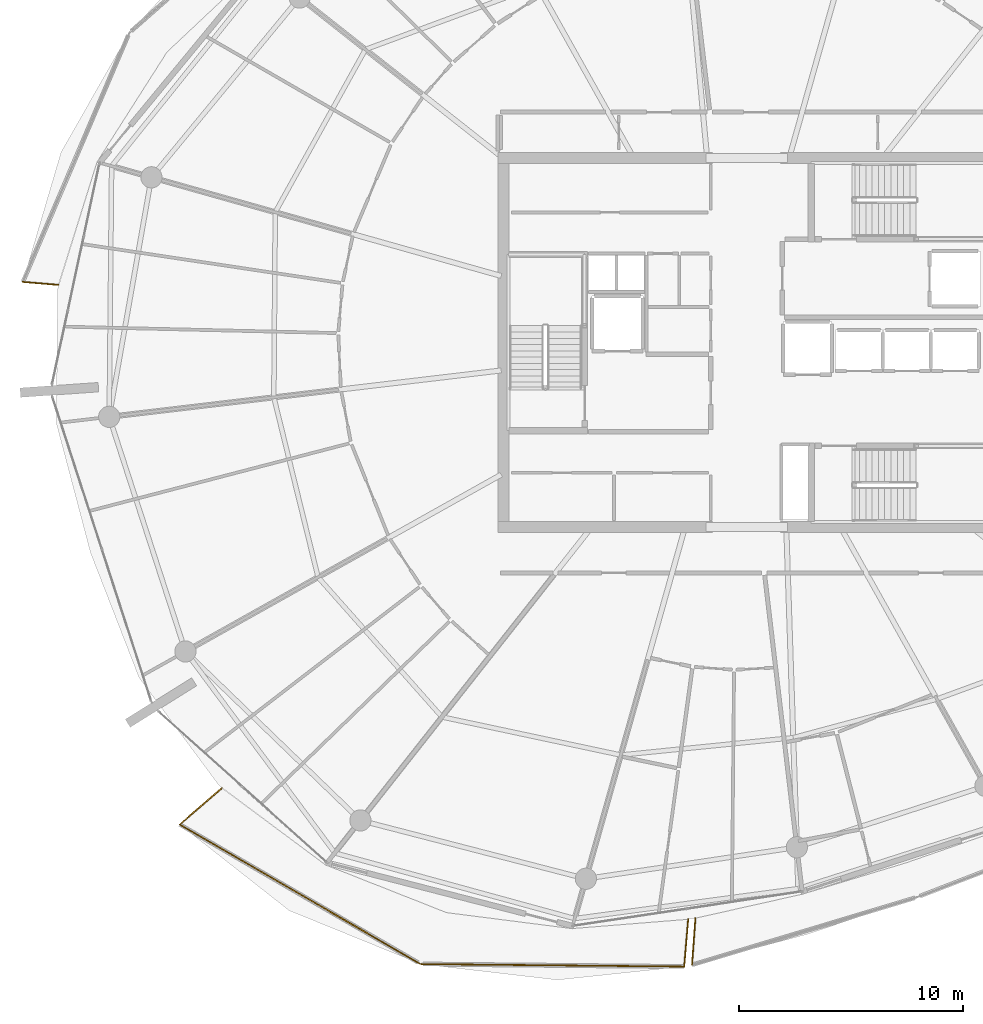
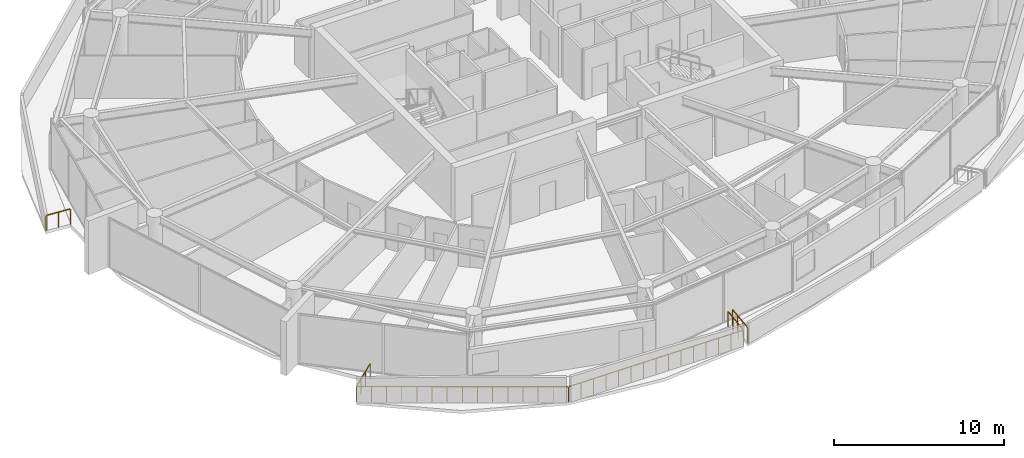
# One storey, part 25 of 31: 6 railings.
"""IFC4 building model written with IfcOpenShell, lengths in metres."""

from ifc_helpers import new_model, si_unit, direction, frame, origin, origin_2d, place, context, subcontext, project, spatial, rectangle, extrude, material, type_object, element, save


model = new_model("IFC4")

# Units and contexts
model_context = context("Model", 3, precision=1e-05, world=origin(), true_north=direction((0.0, 1.0)))
body_context = subcontext(model_context, "Body", "Model", "MODEL_VIEW")
ifc_project = project(units=[si_unit("LENGTHUNIT", "METRE"), si_unit("AREAUNIT", "SQUARE_METRE"), si_unit("VOLUMEUNIT", "CUBIC_METRE"), si_unit("PLANEANGLEUNIT", "RADIAN"), si_unit("MASSUNIT", "GRAM", prefix="KILO")], contexts=[model_context])

# Site, building, storey
site_placement = place(None, origin())
site = spatial("IfcSite", under=ifc_project, at=site_placement, CompositionType="ELEMENT")
building_placement = place(site_placement, origin())
building = spatial("IfcBuilding", under=site, at=building_placement, Name="Kazma Halo Residences", CompositionType="ELEMENT")
storey_placement = place(building_placement, frame((0.0, 0.0, 275.199951171875)))
storey = spatial("IfcBuildingStorey", under=building, at=storey_placement, Name="L69", CompositionType="ELEMENT", Elevation=275.199951171875)

# Railings
ifc_material = material(Name="Aluminium AW-6063 T6 Brushed Cap Rail", Category="aluminium")
railing_type = type_object("IfcRailingType", Name="RLG-BAL-CAP-1120", PredefinedType="BALUSTRADE", material=ifc_material)
railing_1_placement = place(storey_placement, frame((16.0546875, 44.710693359375, 0.0)))
element("IfcRailing", 1, at=railing_1_placement, inside=storey, type_object=railing_type, Name="L69 NW wave balcony guard 4", PredefinedType="BALUSTRADE", context=body_context, shape_type="SweptSolid", body=[
    extrude(rectangle(XDim=0.050048828125, YDim=0.050048828125, at=origin_2d()), frame((0.04248046875, -0.003662109375, 1.09521484375), z_axis=(0.996411975362, -0.08463554428, 0.0), x_axis=(0.08463554428, 0.996411975362, 0.0)), (0.0, 0.0, 1.0), 1.515869140625),
    extrude(rectangle(XDim=0.0400390625, YDim=0.0400390625, at=origin_2d()), origin(), (0.0, 0.0, 1.0), 1.05810546875),
    extrude(rectangle(XDim=0.0400390625, YDim=0.0400390625, at=origin_2d()), frame((0.797607421875, -0.06787109375, 0.0)), (0.0, 0.0, 1.0), 1.05810546875),
    extrude(rectangle(XDim=0.0400390625, YDim=0.0400390625, at=origin_2d()), frame((1.59521484375, -0.135498046875, 0.0)), (0.0, 0.0, 1.0), 1.05810546875),
])
railing_2_placement = place(storey_placement, frame((24.9599609375, 22.0771484375, 0.0)))
element("IfcRailing", 2, at=railing_2_placement, inside=storey, type_object=railing_type, Name="L69 SW wave balcony guard 1", PredefinedType="BALUSTRADE", context=body_context, shape_type="SweptSolid", body=[
    extrude(rectangle(XDim=0.050048828125, YDim=0.050048828125, at=origin_2d()), frame((-0.0322265625, -0.02783203125, 1.09521484375), z_axis=(-0.75642466345, -0.65408082721, 0.0), x_axis=(0.65408082721, -0.75642466345, 0.0)), (0.0, 0.0, 1.0), 2.41015625),
    extrude(rectangle(XDim=0.0400390625, YDim=0.0400390625, at=origin_2d()), origin(), (0.0, 0.0, 1.0), 1.05810546875),
    extrude(rectangle(XDim=0.0400390625, YDim=0.0400390625, at=origin_2d()), frame((-0.629150390625, -0.5439453125, 0.0)), (0.0, 0.0, 1.0), 1.05810546875),
    extrude(rectangle(XDim=0.0400390625, YDim=0.0400390625, at=origin_2d()), frame((-1.25830078125, -1.088134765625, 0.0)), (0.0, 0.0, 1.0), 1.05810546875),
    extrude(rectangle(XDim=0.0400390625, YDim=0.0400390625, at=origin_2d()), frame((-1.887451171875, -1.632080078125, 0.0)), (0.0, 0.0, 1.0), 1.05810546875),
])
railing_3_placement = place(storey_placement, frame((23.072509765625, 20.445068359375, 0.0)))
element("IfcRailing", 3, at=railing_3_placement, inside=storey, type_object=railing_type, Name="L69 SW wave balcony guard 2", PredefinedType="BALUSTRADE", context=body_context, shape_type="SweptSolid", body=[
    extrude(rectangle(XDim=0.050048828125, YDim=0.050048828125, at=origin_2d()), frame((0.036865234375, -0.021240234375, 1.09521484375), z_axis=(0.8652560804, -0.501330146042, 0.0), x_axis=(0.501330146042, 0.8652560804, 0.0)), (0.0, 0.0, 1.0), 12.35791015625),
    extrude(rectangle(XDim=0.0400390625, YDim=0.0400390625, at=origin_2d()), origin(), (0.0, 0.0, 1.0), 1.05810546875),
    extrude(rectangle(XDim=0.0400390625, YDim=0.0400390625, at=origin_2d()), frame((0.76904296875, -0.445556640625, 0.0)), (0.0, 0.0, 1.0), 1.05810546875),
    extrude(rectangle(XDim=0.0400390625, YDim=0.0400390625, at=origin_2d()), frame((1.5380859375, -0.89111328125, 0.0)), (0.0, 0.0, 1.0), 1.05810546875),
    extrude(rectangle(XDim=0.0400390625, YDim=0.0400390625, at=origin_2d()), frame((2.30712890625, -1.336669921875, 0.0)), (0.0, 0.0, 1.0), 1.05810546875),
    extrude(rectangle(XDim=0.0400390625, YDim=0.0400390625, at=origin_2d()), frame((3.076171875, -1.7822265625, 0.0)), (0.0, 0.0, 1.0), 1.05810546875),
    extrude(rectangle(XDim=0.0400390625, YDim=0.0400390625, at=origin_2d()), frame((3.84521484375, -2.227783203125, 0.0)), (0.0, 0.0, 1.0), 1.05810546875),
    extrude(rectangle(XDim=0.0400390625, YDim=0.0400390625, at=origin_2d()), frame((4.6142578125, -2.67333984375, 0.0)), (0.0, 0.0, 1.0), 1.05810546875),
    extrude(rectangle(XDim=0.0400390625, YDim=0.0400390625, at=origin_2d()), frame((5.38330078125, -3.119140625, 0.0)), (0.0, 0.0, 1.0), 1.05810546875),
    extrude(rectangle(XDim=0.0400390625, YDim=0.0400390625, at=origin_2d()), frame((6.152099609375, -3.564697265625, 0.0)), (0.0, 0.0, 1.0), 1.05810546875),
    extrude(rectangle(XDim=0.0400390625, YDim=0.0400390625, at=origin_2d()), frame((6.921142578125, -4.01025390625, 0.0)), (0.0, 0.0, 1.0), 1.05810546875),
    extrude(rectangle(XDim=0.0400390625, YDim=0.0400390625, at=origin_2d()), frame((7.690185546875, -4.455810546875, 0.0)), (0.0, 0.0, 1.0), 1.05810546875),
    extrude(rectangle(XDim=0.0400390625, YDim=0.0400390625, at=origin_2d()), frame((8.459228515625, -4.9013671875, 0.0)), (0.0, 0.0, 1.0), 1.05810546875),
    extrude(rectangle(XDim=0.0400390625, YDim=0.0400390625, at=origin_2d()), frame((9.228271484375, -5.346923828125, 0.0)), (0.0, 0.0, 1.0), 1.05810546875),
    extrude(rectangle(XDim=0.0400390625, YDim=0.0400390625, at=origin_2d()), frame((9.997314453125, -5.79248046875, 0.0)), (0.0, 0.0, 1.0), 1.05810546875),
    extrude(rectangle(XDim=0.0400390625, YDim=0.0400390625, at=origin_2d()), frame((10.766357421875, -6.238037109375, 0.0)), (0.0, 0.0, 1.0), 1.05810546875),
])
railing_4_placement = place(storey_placement, frame((33.8388671875, 14.20703125, 0.0)))
element("IfcRailing", 4, at=railing_4_placement, inside=storey, type_object=railing_type, Name="L69 SW wave balcony guard 3", PredefinedType="BALUSTRADE", context=body_context, shape_type="SweptSolid", body=[
    extrude(rectangle(XDim=0.050048828125, YDim=0.050048828125, at=origin_2d()), frame((0.04248046875, -0.00048828125, 1.09521484375), z_axis=(0.999953670079, -0.009625886691, 0.0), x_axis=(0.009625886691, 0.999953670079, 0.0)), (0.0, 0.0, 1.0), 11.708740234375),
    extrude(rectangle(XDim=0.0400390625, YDim=0.0400390625, at=origin_2d()), origin(), (0.0, 0.0, 1.0), 1.05810546875),
    extrude(rectangle(XDim=0.0400390625, YDim=0.0400390625, at=origin_2d()), frame((0.84228515625, -0.008056640625, 0.0)), (0.0, 0.0, 1.0), 1.05810546875),
    extrude(rectangle(XDim=0.0400390625, YDim=0.0400390625, at=origin_2d()), frame((1.684814453125, -0.01611328125, 0.0)), (0.0, 0.0, 1.0), 1.05810546875),
    extrude(rectangle(XDim=0.0400390625, YDim=0.0400390625, at=origin_2d()), frame((2.527099609375, -0.0244140625, 0.0)), (0.0, 0.0, 1.0), 1.05810546875),
    extrude(rectangle(XDim=0.0400390625, YDim=0.0400390625, at=origin_2d()), frame((3.369384765625, -0.032470703125, 0.0)), (0.0, 0.0, 1.0), 1.05810546875),
    extrude(rectangle(XDim=0.0400390625, YDim=0.0400390625, at=origin_2d()), frame((4.2119140625, -0.04052734375, 0.0)), (0.0, 0.0, 1.0), 1.05810546875),
    extrude(rectangle(XDim=0.0400390625, YDim=0.0400390625, at=origin_2d()), frame((5.05419921875, -0.048583984375, 0.0)), (0.0, 0.0, 1.0), 1.05810546875),
    extrude(rectangle(XDim=0.0400390625, YDim=0.0400390625, at=origin_2d()), frame((5.896484375, -0.056640625, 0.0)), (0.0, 0.0, 1.0), 1.05810546875),
    extrude(rectangle(XDim=0.0400390625, YDim=0.0400390625, at=origin_2d()), frame((6.739013671875, -0.06494140625, 0.0)), (0.0, 0.0, 1.0), 1.05810546875),
    extrude(rectangle(XDim=0.0400390625, YDim=0.0400390625, at=origin_2d()), frame((7.581298828125, -0.072998046875, 0.0)), (0.0, 0.0, 1.0), 1.05810546875),
    extrude(rectangle(XDim=0.0400390625, YDim=0.0400390625, at=origin_2d()), frame((8.423828125, -0.0810546875, 0.0)), (0.0, 0.0, 1.0), 1.05810546875),
    extrude(rectangle(XDim=0.0400390625, YDim=0.0400390625, at=origin_2d()), frame((9.26611328125, -0.089111328125, 0.0)), (0.0, 0.0, 1.0), 1.05810546875),
    extrude(rectangle(XDim=0.0400390625, YDim=0.0400390625, at=origin_2d()), frame((10.1083984375, -0.097412109375, 0.0)), (0.0, 0.0, 1.0), 1.05810546875),
    extrude(rectangle(XDim=0.0400390625, YDim=0.0400390625, at=origin_2d()), frame((10.950927734375, -0.10546875, 0.0)), (0.0, 0.0, 1.0), 1.05810546875),
    extrude(rectangle(XDim=0.0400390625, YDim=0.0400390625, at=origin_2d()), frame((11.793212890625, -0.113525390625, 0.0)), (0.0, 0.0, 1.0), 1.05810546875),
])
railing_5_placement = place(storey_placement, frame((45.632080078125, 14.093505859375, 0.0)))
element("IfcRailing", 5, at=railing_5_placement, inside=storey, type_object=railing_type, Name="L69 SW wave balcony guard 4", PredefinedType="BALUSTRADE", context=body_context, shape_type="SweptSolid", body=[
    extrude(rectangle(XDim=0.050048828125, YDim=0.050048828125, at=origin_2d()), frame((0.003662109375, 0.04248046875, 1.09521484375), z_axis=(0.08453222693, 0.996420745775, 0.0), x_axis=(-0.996420745775, 0.08453222693, 0.0)), (0.0, 0.0, 1.0), 2.034912109375),
    extrude(rectangle(XDim=0.0400390625, YDim=0.0400390625, at=origin_2d()), origin(), (0.0, 0.0, 1.0), 1.05810546875),
    extrude(rectangle(XDim=0.0400390625, YDim=0.0400390625, at=origin_2d()), frame((0.059814453125, 0.7041015625, 0.0)), (0.0, 0.0, 1.0), 1.05810546875),
    extrude(rectangle(XDim=0.0400390625, YDim=0.0400390625, at=origin_2d()), frame((0.119384765625, 1.408203125, 0.0)), (0.0, 0.0, 1.0), 1.05810546875),
    extrude(rectangle(XDim=0.0400390625, YDim=0.0400390625, at=origin_2d()), frame((0.17919921875, 2.1123046875, 0.0)), (0.0, 0.0, 1.0), 1.05810546875),
])
railing_6_placement = place(storey_placement, frame((46.1318359375, 16.25390625, 0.0)))
element("IfcRailing", 6, at=railing_6_placement, inside=storey, type_object=railing_type, Name="L69 SSE wave balcony guard 1", PredefinedType="BALUSTRADE", context=body_context, shape_type="SweptSolid", body=[
    extrude(rectangle(XDim=0.050048828125, YDim=0.050048828125, at=origin_2d()), frame((-0.003173828125, -0.04248046875, 1.09521484375), z_axis=(-0.072339758184, -0.997380047618, 0.0), x_axis=(0.997380047618, -0.072339758184, 0.0)), (0.0, 0.0, 1.0), 2.0107421875),
    extrude(rectangle(XDim=0.0400390625, YDim=0.0400390625, at=origin_2d()), origin(), (0.0, 0.0, 1.0), 1.05810546875),
    extrude(rectangle(XDim=0.0400390625, YDim=0.0400390625, at=origin_2d()), frame((-0.050537109375, -0.69677734375, 0.0)), (0.0, 0.0, 1.0), 1.05810546875),
    extrude(rectangle(XDim=0.0400390625, YDim=0.0400390625, at=origin_2d()), frame((-0.10107421875, -1.3935546875, 0.0)), (0.0, 0.0, 1.0), 1.05810546875),
    extrude(rectangle(XDim=0.0400390625, YDim=0.0400390625, at=origin_2d()), frame((-0.151611328125, -2.09033203125, 0.0)), (0.0, 0.0, 1.0), 1.05810546875),
])

save(model, "model.ifc")
